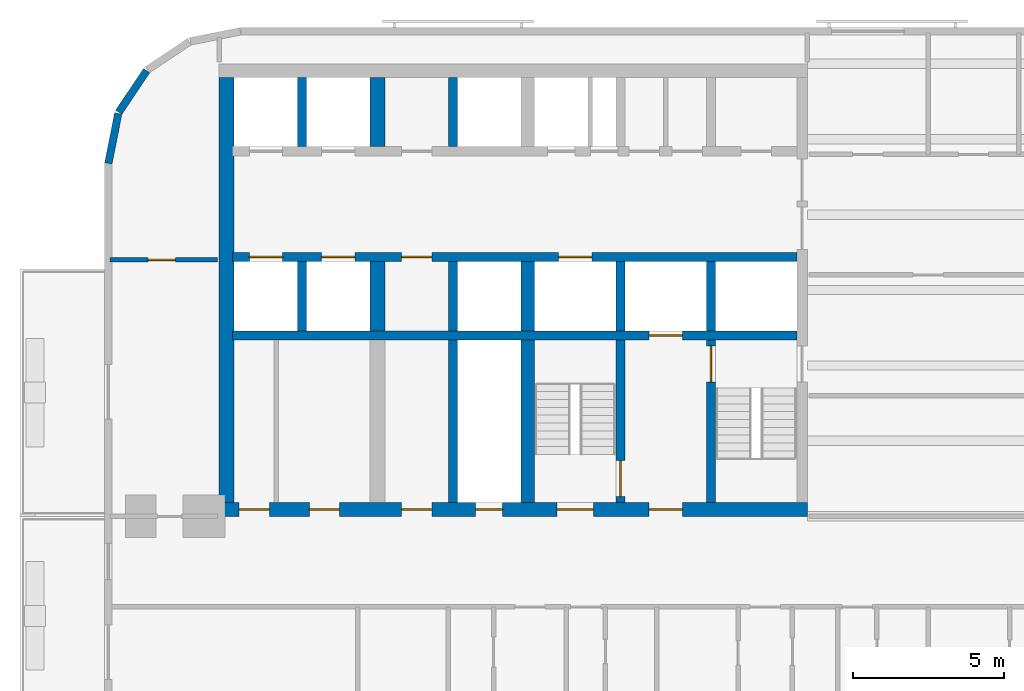
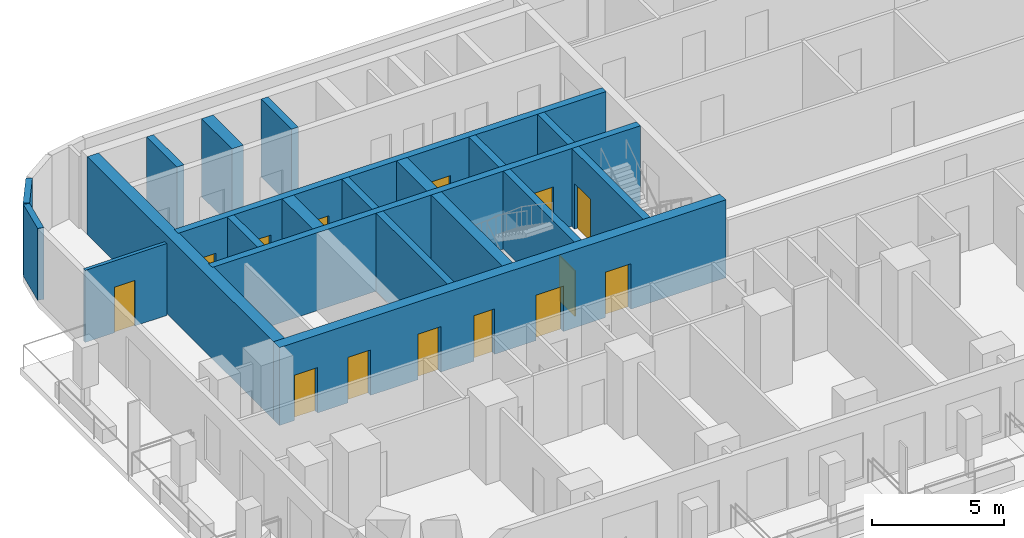
# One storey, part 3 of 14: 20 walls, 14 doors, 14 openings.
"""IFC4 building model written with IfcOpenShell, lengths in metres."""

from ifc_helpers import new_model, si_unit, direction, frame, frame_2d, origin, place, context, subcontext, project, spatial, rectangle, extrude, material, layer, layer_set, type_object, element, fill, save


model = new_model("IFC4")

# Units and contexts
model_context = context("Model", 3, precision=1e-05, world=origin(), true_north=direction((0.0, 1.0)))
body_context = subcontext(model_context, "Body", "Model", "MODEL_VIEW")
ifc_project = project(units=[si_unit("LENGTHUNIT", "METRE"), si_unit("AREAUNIT", "SQUARE_METRE"), si_unit("VOLUMEUNIT", "CUBIC_METRE"), si_unit("PLANEANGLEUNIT", "RADIAN"), si_unit("MASSUNIT", "GRAM", prefix="KILO")], contexts=[model_context])

# Site, building, storey
site_placement = place(None, origin())
site = spatial("IfcSite", under=ifc_project, at=site_placement, CompositionType="ELEMENT")
building_placement = place(site_placement, origin())
building = spatial("IfcBuilding", under=site, at=building_placement, Name="Torana Hotel and Residences", CompositionType="ELEMENT")
storey_placement = place(building_placement, frame((0.0, 0.0, 74.39990234375)))
storey = spatial("IfcBuildingStorey", under=building, at=storey_placement, Name="L18", CompositionType="ELEMENT", Elevation=74.39990234375)

# Wall, openings, doors
ifc_material_1 = material(Name="Concrete C80/95", Category="concrete")
ifc_layer_1 = layer(ifc_material_1, 0.300048828125)
ifc_layer_set_1 = layer_set([ifc_layer_1], Name="CORE WALL 300 C80/95")
wall_type_1 = type_object("IfcWallType", Name="CORE WALL 300 C80/95", PredefinedType="SHEAR", material=ifc_layer_set_1)
wall_1_placement = place(storey_placement, frame((-29.050048828125, -6.39990234375, 0.0), z_axis=(0.0, 0.0, 1.0), x_axis=(1.0, 0.0, 0.0)))
wall_1 = element("IfcWall", 1, at=wall_1_placement, inside=storey, type_object=wall_type_1, Name="Core wall W row-S", PredefinedType="SHEAR", context=body_context, shape_type="SweptSolid", body=[
    extrude(rectangle(XDim=18.699951171875, YDim=0.300048828125, at=frame_2d((9.35009765625, 0.0))), origin(), (0.0, 0.0, 1.0), 3.60009765625),
])
opening_1_placement = place(wall_1_placement, frame((2.949951171875, 0.0, 0.0)))
opening_1 = element("IfcOpeningElement", 2, at=opening_1_placement, cuts=wall_1, Name="Opening LD", PredefinedType="OPENING", context=body_context, shape_type="SweptSolid", body=[
    extrude(rectangle(XDim=1.10009765625, YDim=2.10009765625, at=frame_2d((0.550048828125, 1.050048828125))), frame((0.0, 0.159912109375, 0.0), z_axis=(0.0, -1.0, 0.0), x_axis=(1.0, 0.0, 0.0)), (0.0, 0.0, 1.0), 0.320068359375),
])
opening_2_placement = place(wall_1_placement, frame((0.550048828125, 0.0, 0.0)))
opening_2 = element("IfcOpeningElement", 3, at=opening_2_placement, cuts=wall_1, Name="Opening LD", PredefinedType="OPENING", context=body_context, shape_type="SweptSolid", body=[
    extrude(rectangle(XDim=1.10009765625, YDim=2.10009765625, at=frame_2d((0.550048828125, 1.050048828125))), frame((0.0, 0.159912109375, 0.0), z_axis=(0.0, -1.0, 0.0), x_axis=(1.0, 0.0, 0.0)), (0.0, 0.0, 1.0), 0.320068359375),
])
opening_3_placement = place(wall_1_placement, frame((10.800048828125, 0.0, 0.0)))
opening_3 = element("IfcOpeningElement", 4, at=opening_3_placement, cuts=wall_1, Name="Opening LD", PredefinedType="OPENING", context=body_context, shape_type="SweptSolid", body=[
    extrude(rectangle(XDim=1.10009765625, YDim=2.10009765625, at=frame_2d((0.550048828125, 1.050048828125))), frame((0.0, 0.159912109375, 0.0), z_axis=(0.0, -1.0, 0.0), x_axis=(1.0, 0.0, 0.0)), (0.0, 0.0, 1.0), 0.320068359375),
])
opening_4_placement = place(wall_1_placement, frame((5.60009765625, 0.0, 0.0)))
opening_4 = element("IfcOpeningElement", 5, at=opening_4_placement, cuts=wall_1, Name="Opening L18-16", PredefinedType="OPENING", context=body_context, shape_type="SweptSolid", body=[
    extrude(rectangle(XDim=1.0, YDim=2.10009765625, at=frame_2d((0.5, 1.050048828125))), frame((0.0, 0.159912109375, 0.0), z_axis=(0.0, -1.0, 0.0), x_axis=(1.0, 0.0, 0.0)), (0.0, 0.0, 1.0), 0.320068359375),
])
ifc_material_2 = material(Name="Steel S235", Category="steel")
door_type_1 = type_object("IfcDoorType", Name="CORE ROOM FIRE DOOR D14 1000x2100", OperationType="SINGLE_SWING_LEFT", PredefinedType="DOOR", material=ifc_material_2)
door_1_placement = place(opening_4_placement, frame((0.5, 0.0, 0.0), z_axis=(0.0, 0.0, 1.0), x_axis=(-1.0, 0.0, 0.0)))
door_1 = element("IfcDoor", 6, at=door_1_placement, inside=storey, type_object=door_type_1, Name="Free-M2 door L18", OperationType="SINGLE_SWING_LEFT", OverallHeight=2.10009765625, OverallWidth=1.0, PredefinedType="DOOR", context=body_context, shape_type="SweptSolid", body=[
    extrude(rectangle(XDim=1.0, YDim=2.10009765625, at=frame_2d((0.0, 1.050048828125))), frame((0.0, -0.02490234375, 0.0), z_axis=(0.0, 1.0, 0.0), x_axis=(-1.0, 0.0, 0.0)), (0.0, 0.0, 1.0), 0.050048828125),
])
fill(opening_4, door_1)
ifc_material_3 = material(Name="Stainless steel 316", Category="steel")
door_type_2 = type_object("IfcDoorType", Name="LIFT LANDING DOOR LD 1100x2100", OperationType="DOUBLE_DOOR_SLIDING", PredefinedType="USERDEFINED", material=ifc_material_3)
door_2_placement = place(opening_1_placement, origin())
door_2 = element("IfcDoor", 7, at=door_2_placement, inside=storey, type_object=door_type_2, Name="Lift landing door L3 L18", ObjectType="LIFT LANDING DOOR", OperationType="DOUBLE_DOOR_SLIDING", OverallHeight=2.10009765625, OverallWidth=1.10009765625, PredefinedType="USERDEFINED", context=body_context, shape_type="SweptSolid", body=[
    extrude(rectangle(XDim=1.10009765625, YDim=2.10009765625, at=frame_2d((0.550048828125, 1.050048828125))), frame((0.0, 0.02490234375, 0.0), z_axis=(0.0, -1.0, 0.0), x_axis=(1.0, 0.0, 0.0)), (0.0, 0.0, 1.0), 0.050048828125),
])
fill(opening_1, door_2)
door_3_placement = place(opening_2_placement, origin())
door_3 = element("IfcDoor", 8, at=door_3_placement, inside=storey, type_object=door_type_2, Name="Lift landing door L4 L18", ObjectType="LIFT LANDING DOOR", OperationType="DOUBLE_DOOR_SLIDING", OverallHeight=2.10009765625, OverallWidth=1.10009765625, PredefinedType="USERDEFINED", context=body_context, shape_type="SweptSolid", body=[
    extrude(rectangle(XDim=1.10009765625, YDim=2.10009765625, at=frame_2d((0.550048828125, 1.050048828125))), frame((0.0, 0.02490234375, 0.0), z_axis=(0.0, -1.0, 0.0), x_axis=(1.0, 0.0, 0.0)), (0.0, 0.0, 1.0), 0.050048828125),
])
fill(opening_2, door_3)
door_4_placement = place(opening_3_placement, origin())
door_4 = element("IfcDoor", 9, at=door_4_placement, inside=storey, type_object=door_type_2, Name="Lift landing door SV1 L18", ObjectType="LIFT LANDING DOOR", OperationType="DOUBLE_DOOR_SLIDING", OverallHeight=2.10009765625, OverallWidth=1.10009765625, PredefinedType="USERDEFINED", context=body_context, shape_type="SweptSolid", body=[
    extrude(rectangle(XDim=1.10009765625, YDim=2.10009765625, at=frame_2d((0.550048828125, 1.050048828125))), frame((0.0, 0.02490234375, 0.0), z_axis=(0.0, -1.0, 0.0), x_axis=(1.0, 0.0, 0.0)), (0.0, 0.0, 1.0), 0.050048828125),
])
fill(opening_3, door_4)

# Wall, opening, door
wall_2_placement = place(storey_placement, frame((-29.050048828125, -9.0, 0.0), z_axis=(0.0, 0.0, 1.0), x_axis=(1.0, 0.0, 0.0)))
wall_2 = element("IfcWall", 10, at=wall_2_placement, inside=storey, type_object=wall_type_1, Name="Core wall W band", PredefinedType="SHEAR", context=body_context, shape_type="SweptSolid", body=[
    extrude(rectangle(XDim=18.699951171875, YDim=0.300048828125, at=frame_2d((9.35009765625, 0.0))), origin(), (0.0, 0.0, 1.0), 3.60009765625),
])
opening_5_placement = place(wall_2_placement, frame((13.800048828125, 0.0, 0.0)))
opening_5 = element("IfcOpeningElement", 11, at=opening_5_placement, cuts=wall_2, Name="Opening LD", PredefinedType="OPENING", context=body_context, shape_type="SweptSolid", body=[
    extrude(rectangle(XDim=1.10009765625, YDim=2.10009765625, at=frame_2d((0.550048828125, 1.050048828125))), frame((0.0, 0.159912109375, 0.0), z_axis=(0.0, -1.0, 0.0), x_axis=(1.0, 0.0, 0.0)), (0.0, 0.0, 1.0), 0.320068359375),
])
door_5_placement = place(opening_5_placement, origin())
door_5 = element("IfcDoor", 12, at=door_5_placement, inside=storey, type_object=door_type_2, Name="Lift landing door FF1 L18", ObjectType="LIFT LANDING DOOR", OperationType="DOUBLE_DOOR_SLIDING", OverallHeight=2.10009765625, OverallWidth=1.10009765625, PredefinedType="USERDEFINED", context=body_context, shape_type="SweptSolid", body=[
    extrude(rectangle(XDim=1.10009765625, YDim=2.10009765625, at=frame_2d((0.550048828125, 1.050048828125))), frame((0.0, 0.02490234375, 0.0), z_axis=(0.0, -1.0, 0.0), x_axis=(1.0, 0.0, 0.0)), (0.0, 0.0, 1.0), 0.050048828125),
])
fill(opening_5, door_5)

# Wall
wall_3_placement = place(storey_placement, frame((-13.199951171875, -8.85009765625, 0.0), z_axis=(0.0, 0.0, 1.0), x_axis=(0.0, 1.0, 0.0)))
element("IfcWall", 13, at=wall_3_placement, inside=storey, type_object=wall_type_1, Name="Core wall W x3.05-S", PredefinedType="SHEAR", context=body_context, shape_type="SweptSolid", body=[
    extrude(rectangle(XDim=2.300048828125, YDim=0.300048828125, at=frame_2d((1.14990234375, 0.0))), origin(), (0.0, 0.0, 1.0), 3.60009765625),
])

# Wall, opening, door
wall_4_placement = place(storey_placement, frame((-13.199951171875, -14.550048828125, 0.0), z_axis=(0.0, 0.0, 1.0), x_axis=(0.0, 1.0, 0.0)))
wall_4 = element("IfcWall", 14, at=wall_4_placement, inside=storey, type_object=wall_type_1, Name="Core wall W x3.05-band", PredefinedType="SHEAR", context=body_context, shape_type="SweptSolid", body=[
    extrude(rectangle(XDim=5.400146484375, YDim=0.300048828125, at=frame_2d((2.7001953125, 0.0))), origin(), (0.0, 0.0, 1.0), 3.60009765625),
])
opening_6_placement = place(wall_4_placement, frame((4.0, 0.0, 0.0)))
opening_6 = element("IfcOpeningElement", 15, at=opening_6_placement, cuts=wall_4, Name="Opening L18-17", PredefinedType="OPENING", context=body_context, shape_type="SweptSolid", body=[
    extrude(rectangle(XDim=1.199951171875, YDim=2.10009765625, at=frame_2d((0.60009765625, 1.050048828125))), frame((0.0, 0.159912109375, 0.0), z_axis=(0.0, -1.0, 0.0), x_axis=(1.0, 0.0, 0.0)), (0.0, 0.0, 1.0), 0.320068359375),
])
ifc_material_4 = material(Name="Steel S235", Category="steel")
door_type_3 = type_object("IfcDoorType", Name="STAIR FIRE DOOR D3 1200x2100", OperationType="SINGLE_SWING_LEFT", PredefinedType="DOOR", material=ifc_material_4)
door_6_placement = place(opening_6_placement, frame((0.60009765625, 0.0, 0.0), z_axis=(0.0, 0.0, 1.0), x_axis=(-1.0, 0.0, 0.0)))
door_6 = element("IfcDoor", 16, at=door_6_placement, inside=storey, type_object=door_type_3, Name="Stair-A-lobby door L18", OperationType="SINGLE_SWING_RIGHT", OverallHeight=2.10009765625, OverallWidth=1.199951171875, PredefinedType="DOOR", context=body_context, shape_type="SweptSolid", body=[
    extrude(rectangle(XDim=1.199951171875, YDim=2.10009765625, at=frame_2d((0.0, 1.050048828125))), frame((0.0, -0.02490234375, 0.0), z_axis=(0.0, 1.0, 0.0), x_axis=(-1.0, 0.0, 0.0)), (0.0, 0.0, 1.0), 0.050048828125),
])
fill(opening_6, door_6)

# Wall
wall_5_placement = place(storey_placement, frame((-16.199951171875, -8.85009765625, 0.0), z_axis=(0.0, 0.0, 1.0), x_axis=(0.0, 1.0, 0.0)))
element("IfcWall", 17, at=wall_5_placement, inside=storey, type_object=wall_type_1, Name="Core wall W x6.05-S", PredefinedType="SHEAR", context=body_context, shape_type="SweptSolid", body=[
    extrude(rectangle(XDim=2.300048828125, YDim=0.300048828125, at=frame_2d((1.14990234375, 0.0))), origin(), (0.0, 0.0, 1.0), 3.60009765625),
])

# Wall, opening, door
wall_6_placement = place(storey_placement, frame((-16.199951171875, -14.550048828125, 0.0), z_axis=(0.0, 0.0, 1.0), x_axis=(0.0, 1.0, 0.0)))
wall_6 = element("IfcWall", 18, at=wall_6_placement, inside=storey, type_object=wall_type_1, Name="Core wall W x6.05-band", PredefinedType="SHEAR", context=body_context, shape_type="SweptSolid", body=[
    extrude(rectangle(XDim=5.400146484375, YDim=0.300048828125, at=frame_2d((2.7001953125, 0.0))), origin(), (0.0, 0.0, 1.0), 3.60009765625),
])
opening_7_placement = place(wall_6_placement, frame((0.199951171875, 0.0, 0.0)))
opening_7 = element("IfcOpeningElement", 19, at=opening_7_placement, cuts=wall_6, Name="Opening L18-18", PredefinedType="OPENING", context=body_context, shape_type="SweptSolid", body=[
    extrude(rectangle(XDim=1.199951171875, YDim=2.10009765625, at=frame_2d((0.60009765625, 1.050048828125))), frame((0.0, 0.159912109375, 0.0), z_axis=(0.0, -1.0, 0.0), x_axis=(1.0, 0.0, 0.0)), (0.0, 0.0, 1.0), 0.320068359375),
])
door_7_placement = place(opening_7_placement, origin())
door_7 = element("IfcDoor", 20, at=door_7_placement, inside=storey, type_object=door_type_3, Name="Stair-B-lobby door L18", OperationType="SINGLE_SWING_RIGHT", OverallHeight=2.10009765625, OverallWidth=1.199951171875, PredefinedType="DOOR", context=body_context, shape_type="SweptSolid", body=[
    extrude(rectangle(XDim=1.199951171875, YDim=2.10009765625, at=frame_2d((0.60009765625, 1.050048828125))), frame((0.0, 0.02490234375, 0.0), z_axis=(0.0, -1.0, 0.0), x_axis=(1.0, 0.0, 0.0)), (0.0, 0.0, 1.0), 0.050048828125),
])
fill(opening_7, door_7)

# Walls
for number, where, z_axis, x_axis, name in (
    (21, (-21.75, -2.75, 0.0), (0.0, 0.0, 1.0), (0.0, 1.0, 0.0), "Core wall W mm-N"),
    (22, (-21.75, -8.85009765625, 0.0), (0.0, 0.0, 1.0), (0.0, 1.0, 0.0), "Core wall W mm-S"),
):
    element("IfcWall", number, at=place(storey_placement, frame(where, z_axis=z_axis, x_axis=x_axis)), inside=storey, type_object=wall_type_1, Name=name, PredefinedType="SHEAR", context=body_context, shape_type="SweptSolid", body=[
        extrude(rectangle(XDim=2.300048828125, YDim=0.300048828125, at=frame_2d((1.14990234375, 0.0))), origin(), (0.0, 0.0, 1.0), 3.60009765625),
    ])
wall_7_placement = place(storey_placement, frame((-21.75, -14.550048828125, 0.0), z_axis=(0.0, 0.0, 1.0), x_axis=(0.0, 1.0, 0.0)))
element("IfcWall", 23, at=wall_7_placement, inside=storey, type_object=wall_type_1, Name="Core wall W mm-band", PredefinedType="SHEAR", context=body_context, shape_type="SweptSolid", body=[
    extrude(rectangle(XDim=5.400146484375, YDim=0.300048828125, at=frame_2d((2.7001953125, 0.0))), origin(), (0.0, 0.0, 1.0), 3.60009765625),
])
for number, where, z_axis, x_axis, name in (
    (24, (-26.75, -2.75, 0.0), (0.0, 0.0, 1.0), (0.0, 1.0, 0.0), "Core wall W ll-N"),
    (25, (-26.75, -8.85009765625, 0.0), (0.0, 0.0, 1.0), (0.0, 1.0, 0.0), "Core wall W ll-S"),
):
    element("IfcWall", number, at=place(storey_placement, frame(where, z_axis=z_axis, x_axis=x_axis)), inside=storey, type_object=wall_type_1, Name=name, PredefinedType="SHEAR", context=body_context, shape_type="SweptSolid", body=[
        extrude(rectangle(XDim=2.300048828125, YDim=0.300048828125, at=frame_2d((1.14990234375, 0.0))), origin(), (0.0, 0.0, 1.0), 3.60009765625),
    ])

# Wall, openings, doors
ifc_material_5 = material(Name="Concrete C80/95", Category="concrete")
ifc_layer_2 = layer(ifc_material_5, 0.449951171875)
ifc_layer_set_2 = layer_set([ifc_layer_2], Name="CORE WALL 450 C80/95")
wall_type_2 = type_object("IfcWallType", Name="CORE WALL 450 C80/95", PredefinedType="SHEAR", material=ifc_layer_set_2)
wall_8_placement = place(storey_placement, frame((-29.5, -14.77490234375, 0.0), z_axis=(0.0, 0.0, 1.0), x_axis=(1.0, 0.0, 0.0)))
wall_8 = element("IfcWall", 26, at=wall_8_placement, inside=storey, type_object=wall_type_2, Name="Core wall W front", PredefinedType="SHEAR", context=body_context, shape_type="SweptSolid", body=[
    extrude(rectangle(XDim=19.5, YDim=0.449951171875, at=frame_2d((9.75, 0.0))), origin(), (0.0, 0.0, 1.0), 3.60009765625),
])
opening_8_placement = place(wall_8_placement, frame((11.199951171875, 0.0, 0.0)))
opening_8 = element("IfcOpeningElement", 27, at=opening_8_placement, cuts=wall_8, Name="Opening L18-04", PredefinedType="OPENING", context=body_context, shape_type="SweptSolid", body=[
    extrude(rectangle(XDim=1.199951171875, YDim=2.10009765625, at=frame_2d((0.60009765625, 1.050048828125))), frame((0.0, 0.23486328125, 0.0), z_axis=(0.0, -1.0, 0.0), x_axis=(1.0, 0.0, 0.0)), (0.0, 0.0, 1.0), 0.469970703125),
])
opening_9_placement = place(wall_8_placement, frame((14.25, 0.0, 0.0)))
opening_9 = element("IfcOpeningElement", 28, at=opening_9_placement, cuts=wall_8, Name="Opening L18-05", PredefinedType="OPENING", context=body_context, shape_type="SweptSolid", body=[
    extrude(rectangle(XDim=1.10009765625, YDim=2.10009765625, at=frame_2d((0.550048828125, 1.050048828125))), frame((0.0, 0.23486328125, 0.0), z_axis=(0.0, -1.0, 0.0), x_axis=(1.0, 0.0, 0.0)), (0.0, 0.0, 1.0), 0.469970703125),
])
opening_10_placement = place(wall_8_placement, frame((8.5, 0.0, 0.0)))
opening_10 = element("IfcOpeningElement", 29, at=opening_10_placement, cuts=wall_8, Name="Opening L18-06", PredefinedType="OPENING", context=body_context, shape_type="SweptSolid", body=[
    extrude(rectangle(XDim=0.89990234375, YDim=2.10009765625, at=frame_2d((0.449951171875, 1.050048828125))), frame((0.0, 0.23486328125, 0.0), z_axis=(0.0, -1.0, 0.0), x_axis=(1.0, 0.0, 0.0)), (0.0, 0.0, 1.0), 0.469970703125),
])
opening_11_placement = place(wall_8_placement, frame((6.050048828125, 0.0, 0.0)))
opening_11 = element("IfcOpeningElement", 30, at=opening_11_placement, cuts=wall_8, Name="Opening L18-07", PredefinedType="OPENING", context=body_context, shape_type="SweptSolid", body=[
    extrude(rectangle(XDim=1.0, YDim=2.10009765625, at=frame_2d((0.5, 1.050048828125))), frame((0.0, 0.23486328125, 0.0), z_axis=(0.0, -1.0, 0.0), x_axis=(1.0, 0.0, 0.0)), (0.0, 0.0, 1.0), 0.469970703125),
])
opening_12_placement = place(wall_8_placement, frame((2.987548828125, 0.0, 0.0)))
opening_12 = element("IfcOpeningElement", 31, at=opening_12_placement, cuts=wall_8, Name="Opening L18-08", PredefinedType="OPENING", context=body_context, shape_type="SweptSolid", body=[
    extrude(rectangle(XDim=1.0, YDim=2.10009765625, at=frame_2d((0.5, 1.050048828125))), frame((0.0, 0.23486328125, 0.0), z_axis=(0.0, -1.0, 0.0), x_axis=(1.0, 0.0, 0.0)), (0.0, 0.0, 1.0), 0.469970703125),
])
opening_13_placement = place(wall_8_placement, frame((0.66259765625, 0.0, 0.0)))
opening_13 = element("IfcOpeningElement", 32, at=opening_13_placement, cuts=wall_8, Name="Opening L18-09", PredefinedType="OPENING", context=body_context, shape_type="SweptSolid", body=[
    extrude(rectangle(XDim=1.0, YDim=2.10009765625, at=frame_2d((0.5, 1.050048828125))), frame((0.0, 0.23486328125, 0.0), z_axis=(0.0, -1.0, 0.0), x_axis=(1.0, 0.0, 0.0)), (0.0, 0.0, 1.0), 0.469970703125),
])
door_8_placement = place(opening_11_placement, origin())
door_8 = element("IfcDoor", 33, at=door_8_placement, inside=storey, type_object=door_type_1, Name="M-Room door L18", OperationType="SINGLE_SWING_RIGHT", OverallHeight=2.10009765625, OverallWidth=1.0, PredefinedType="DOOR", context=body_context, shape_type="SweptSolid", body=[
    extrude(rectangle(XDim=1.0, YDim=2.10009765625, at=frame_2d((0.5, 1.050048828125))), frame((0.0, 0.02490234375, 0.0), z_axis=(0.0, -1.0, 0.0), x_axis=(1.0, 0.0, 0.0)), (0.0, 0.0, 1.0), 0.050048828125),
])
fill(opening_11, door_8)
door_9_placement = place(opening_12_placement, origin())
door_9 = element("IfcDoor", 34, at=door_9_placement, inside=storey, type_object=door_type_1, Name="L-A door L18", OperationType="SINGLE_SWING_RIGHT", OverallHeight=2.10009765625, OverallWidth=1.0, PredefinedType="DOOR", context=body_context, shape_type="SweptSolid", body=[
    extrude(rectangle(XDim=1.0, YDim=2.10009765625, at=frame_2d((0.5, 1.050048828125))), frame((0.0, 0.02490234375, 0.0), z_axis=(0.0, -1.0, 0.0), x_axis=(1.0, 0.0, 0.0)), (0.0, 0.0, 1.0), 0.050048828125),
])
fill(opening_12, door_9)
door_10_placement = place(opening_13_placement, origin())
door_10 = element("IfcDoor", 35, at=door_10_placement, inside=storey, type_object=door_type_1, Name="L-B door L18", OperationType="SINGLE_SWING_RIGHT", OverallHeight=2.10009765625, OverallWidth=1.0, PredefinedType="DOOR", context=body_context, shape_type="SweptSolid", body=[
    extrude(rectangle(XDim=1.0, YDim=2.10009765625, at=frame_2d((0.5, 1.050048828125))), frame((0.0, 0.02490234375, 0.0), z_axis=(0.0, -1.0, 0.0), x_axis=(1.0, 0.0, 0.0)), (0.0, 0.0, 1.0), 0.050048828125),
])
fill(opening_13, door_10)
ifc_material_6 = material(Name="Steel S235", Category="steel")
door_type_4 = type_object("IfcDoorType", Name="FIRE-FIGHTING LOBBY DOOR D8 1100x2100", OperationType="SINGLE_SWING_LEFT", PredefinedType="DOOR", material=ifc_material_6)
door_11_placement = place(opening_9_placement, origin())
door_11 = element("IfcDoor", 36, at=door_11_placement, inside=storey, type_object=door_type_4, Name="FF-lobby door L18", OperationType="SINGLE_SWING_RIGHT", OverallHeight=2.10009765625, OverallWidth=1.10009765625, PredefinedType="DOOR", context=body_context, shape_type="SweptSolid", body=[
    extrude(rectangle(XDim=1.10009765625, YDim=2.10009765625, at=frame_2d((0.550048828125, 1.050048828125))), frame((0.0, 0.02490234375, 0.0), z_axis=(0.0, -1.0, 0.0), x_axis=(1.0, 0.0, 0.0)), (0.0, 0.0, 1.0), 0.050048828125),
])
fill(opening_9, door_11)
ifc_material_7 = material(Name="Steel S235", Category="steel")
door_type_5 = type_object("IfcDoorType", Name="RISER ACCESS DOOR D5 900x2100", OperationType="SINGLE_SWING_LEFT", PredefinedType="DOOR", material=ifc_material_7)
door_12_placement = place(opening_10_placement, origin())
door_12 = element("IfcDoor", 37, at=door_12_placement, inside=storey, type_object=door_type_5, Name="M-Riser door L18", OperationType="SINGLE_SWING_RIGHT", OverallHeight=2.10009765625, OverallWidth=0.89990234375, PredefinedType="DOOR", context=body_context, shape_type="SweptSolid", body=[
    extrude(rectangle(XDim=0.89990234375, YDim=2.10009765625, at=frame_2d((0.449951171875, 1.050048828125))), frame((0.0, 0.02490234375, 0.0), z_axis=(0.0, -1.0, 0.0), x_axis=(1.0, 0.0, 0.0)), (0.0, 0.0, 1.0), 0.050048828125),
])
fill(opening_10, door_12)
door_13_placement = place(opening_8_placement, origin())
door_13 = element("IfcDoor", 38, at=door_13_placement, inside=storey, type_object=door_type_3, Name="Stair-B door L18", OperationType="SINGLE_SWING_RIGHT", OverallHeight=2.10009765625, OverallWidth=1.199951171875, PredefinedType="DOOR", context=body_context, shape_type="SweptSolid", body=[
    extrude(rectangle(XDim=1.199951171875, YDim=2.10009765625, at=frame_2d((0.60009765625, 1.050048828125))), frame((0.0, 0.02490234375, 0.0), z_axis=(0.0, -1.0, 0.0), x_axis=(1.0, 0.0, 0.0)), (0.0, 0.0, 1.0), 0.050048828125),
])
fill(opening_8, door_13)

# Walls
wall_9_placement = place(storey_placement, frame((-19.27490234375, -8.85009765625, 0.0), z_axis=(0.0, 0.0, 1.0), x_axis=(0.0, 1.0, 0.0)))
element("IfcWall", 39, at=wall_9_placement, inside=storey, type_object=wall_type_2, Name="Core wall W hm-S", PredefinedType="SHEAR", context=body_context, shape_type="SweptSolid", body=[
    extrude(rectangle(XDim=2.300048828125, YDim=0.449951171875, at=frame_2d((1.14990234375, 0.0))), origin(), (0.0, 0.0, 1.0), 3.60009765625),
])
wall_10_placement = place(storey_placement, frame((-19.27490234375, -14.550048828125, 0.0), z_axis=(0.0, 0.0, 1.0), x_axis=(0.0, 1.0, 0.0)))
element("IfcWall", 40, at=wall_10_placement, inside=storey, type_object=wall_type_2, Name="Core wall W hm-band", PredefinedType="SHEAR", context=body_context, shape_type="SweptSolid", body=[
    extrude(rectangle(XDim=5.400146484375, YDim=0.449951171875, at=frame_2d((2.7001953125, 0.0))), origin(), (0.0, 0.0, 1.0), 3.60009765625),
])
ifc_material_8 = material(Name="Concrete C80/95", Category="concrete")
ifc_layer_3 = layer(ifc_material_8, 0.5)
ifc_layer_set_3 = layer_set([ifc_layer_3], Name="CORE WALL 500 C80/95")
wall_type_3 = type_object("IfcWallType", Name="CORE WALL 500 C80/95", PredefinedType="SHEAR", material=ifc_layer_set_3)
wall_11_placement = place(storey_placement, frame((-29.25, -14.550048828125, 0.0), z_axis=(0.0, 0.0, 1.0), x_axis=(0.0, 1.0, 0.0)))
element("IfcWall", 41, at=wall_11_placement, inside=storey, type_object=wall_type_3, Name="Core wall W outer", PredefinedType="SHEAR", context=body_context, shape_type="SweptSolid", body=[
    extrude(rectangle(XDim=14.10009765625, YDim=0.5, at=frame_2d((7.050048828125, 0.0))), origin(), (0.0, 0.0, 1.0), 3.60009765625),
])
for number, where, z_axis, x_axis, name in (
    (42, (-24.25, -2.75, 0.0), (0.0, 0.0, 1.0), (0.0, 1.0, 0.0), "Core wall W ml-N"),
    (43, (-24.25, -8.85009765625, 0.0), (0.0, 0.0, 1.0), (0.0, 1.0, 0.0), "Core wall W ml-S"),
):
    element("IfcWall", number, at=place(storey_placement, frame(where, z_axis=z_axis, x_axis=x_axis)), inside=storey, type_object=wall_type_3, Name=name, PredefinedType="SHEAR", context=body_context, shape_type="SweptSolid", body=[
        extrude(rectangle(XDim=2.300048828125, YDim=0.5, at=frame_2d((1.14990234375, 0.0))), origin(), (0.0, 0.0, 1.0), 3.60009765625),
    ])
ifc_material_9 = material(Name="Black aluminium composite panel", Category="aluminium")
ifc_layer_4 = layer(ifc_material_9, 0.00390625, Name="Cladding", Category="cladding")
ifc_material_10 = material(Name="Ventilated air cavity")
ifc_layer_5 = layer(ifc_material_10, 0.0400390625, Name="Ventilated cavity", Category="cavity")
ifc_material_11 = material(Name="Mineral wool insulation")
ifc_layer_6 = layer(ifc_material_11, 0.090087890625, Name="Insulation", Category="insulation")
ifc_material_12 = material(Name="Steel S280GD", Category="steel")
ifc_layer_7 = layer(ifc_material_12, 0.092041015625, Name="Steel stud frame", Category="structure")
ifc_material_13 = material(Name="Fire rated plasterboard")
ifc_layer_8 = layer(ifc_material_13, 0.011962890625, Name="Inner board", Category="finish")
ifc_layer_9 = layer(ifc_material_13, 0.011962890625, Name="Second board", Category="finish")
ifc_layer_set_4 = layer_set([ifc_layer_4, ifc_layer_5, ifc_layer_6, ifc_layer_7, ifc_layer_8, ifc_layer_9], Name="EW1 EXTERNAL WALL BLACK METAL CLAD 250")
wall_type_4 = type_object("IfcWallType", Name="EW1 EXTERNAL WALL BLACK METAL CLAD 250", PredefinedType="SOLIDWALL", material=ifc_layer_set_4)
wall_12_placement = place(storey_placement, frame((-31.90576171875, -0.228759765625, 0.0), z_axis=(0.0, 0.0, 1.0), x_axis=(-0.55555029066, -0.831482937015, 0.0)))
element("IfcWall", 44, at=wall_12_placement, inside=storey, type_object=wall_type_4, Name="External wall L18 e0.7", PredefinedType="SOLIDWALL", context=body_context, shape_type="SweptSolid", body=[
    extrude(rectangle(XDim=1.65625, YDim=0.25, at=frame_2d((0.828125, 0.0))), origin(), (0.0, 0.0, 1.0), 3.320068359375),
])
wall_13_placement = place(storey_placement, frame((-32.844482421875, -1.651123046875, 0.0), z_axis=(0.0, 0.0, 1.0), x_axis=(-0.19513878023, -0.980775640221, 0.0)))
element("IfcWall", 45, at=wall_13_placement, inside=storey, type_object=wall_type_4, Name="External wall L18 e0.8", PredefinedType="SOLIDWALL", context=body_context, shape_type="SweptSolid", body=[
    extrude(rectangle(XDim=1.681396484375, YDim=0.25, at=frame_2d((0.8408203125, 0.0))), origin(), (0.0, 0.0, 1.0), 3.320068359375),
])

# Wall, opening, door
ifc_material_14 = material(Name="Gypsum plasterboard")
ifc_layer_10 = layer(ifc_material_14, 0.012451171875, Name="Plasterboard", Category="finish")
ifc_layer_11 = layer(ifc_material_14, 0.012451171875, Name="Plasterboard", Category="finish")
ifc_layer_12 = layer(ifc_material_12, 0.10009765625, Name="Steel studs with mineral wool", Category="insulation")
ifc_layer_13 = layer(ifc_material_14, 0.012451171875, Name="Plasterboard", Category="finish")
ifc_layer_14 = layer(ifc_material_14, 0.012451171875, Name="Plasterboard", Category="finish")
ifc_layer_set_5 = layer_set([ifc_layer_10, ifc_layer_11, ifc_layer_12, ifc_layer_13, ifc_layer_14], Name="PARTITION 150 PLASTERBOARD")
wall_type_5 = type_object("IfcWallType", Name="PARTITION 150 PLASTERBOARD", PredefinedType="PARTITIONING", material=ifc_layer_set_5)
wall_14_placement = place(storey_placement, frame((-33.1201171875, -6.5, 0.0), z_axis=(0.0, 0.0, 1.0), x_axis=(1.0, 0.0, 0.0)))
wall_14 = element("IfcWall", 46, at=wall_14_placement, inside=storey, type_object=wall_type_5, Name="Partition L18", PredefinedType="PARTITIONING", context=body_context, shape_type="SweptSolid", body=[
    extrude(rectangle(XDim=3.570068359375, YDim=0.14990234375, at=frame_2d((1.78515625, 0.0))), origin(), (0.0, 0.0, 1.0), 3.320068359375),
])
opening_14_placement = place(wall_14_placement, frame((1.27001953125, 0.0, 0.0)))
opening_14 = element("IfcOpeningElement", 47, at=opening_14_placement, cuts=wall_14, Name="Opening L18-84", PredefinedType="OPENING", context=body_context, shape_type="SweptSolid", body=[
    extrude(rectangle(XDim=0.89990234375, YDim=2.10009765625, at=frame_2d((0.449951171875, 1.050048828125))), frame((0.0, 0.0849609375, 0.0), z_axis=(0.0, -1.0, 0.0), x_axis=(1.0, 0.0, 0.0)), (0.0, 0.0, 1.0), 0.169921875),
])
ifc_material_15 = material(Name="Timber door, oiled ash", Category="wood")
door_type_6 = type_object("IfcDoorType", Name="ROOM DOOR D7 900x2100", OperationType="SINGLE_SWING_LEFT", PredefinedType="DOOR", material=ifc_material_15)
door_14_placement = place(opening_14_placement, origin())
door_14 = element("IfcDoor", 48, at=door_14_placement, inside=storey, type_object=door_type_6, Name="Door L18", OperationType="SINGLE_SWING_RIGHT", OverallHeight=2.10009765625, OverallWidth=0.89990234375, PredefinedType="DOOR", context=body_context, shape_type="SweptSolid", body=[
    extrude(rectangle(XDim=0.89990234375, YDim=2.10009765625, at=frame_2d((0.449951171875, 1.050048828125))), frame((0.0, 0.02490234375, 0.0), z_axis=(0.0, -1.0, 0.0), x_axis=(1.0, 0.0, 0.0)), (0.0, 0.0, 1.0), 0.050048828125),
])
fill(opening_14, door_14)

save(model, "model.ifc")
